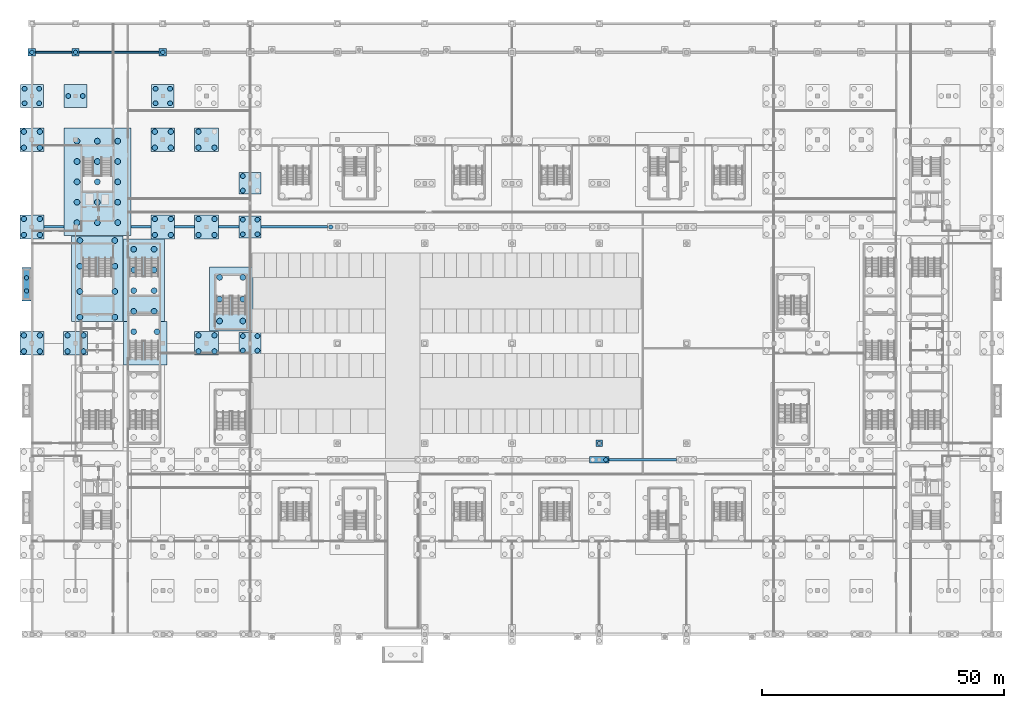
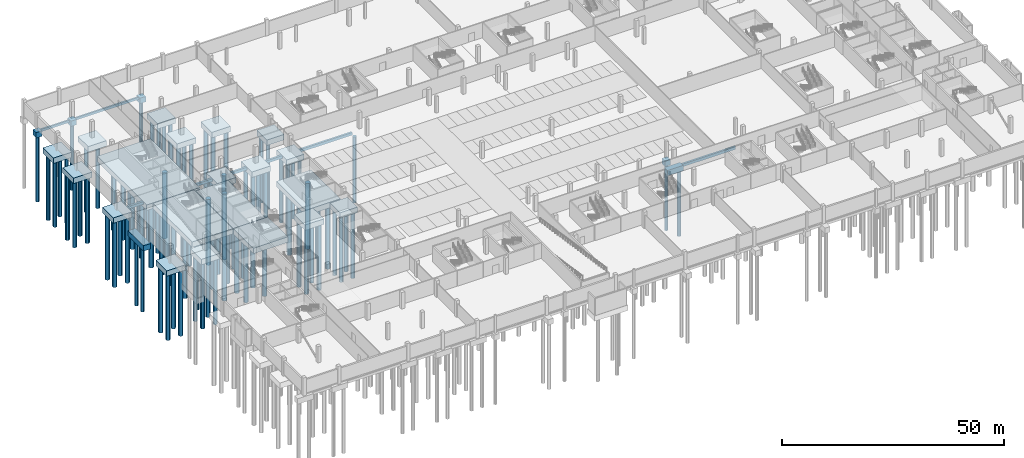
# One storey, part 3 of 46: 102 piles, 34 footings.
"""IFC4 building model written with IfcOpenShell, lengths in metres."""

from ifc_helpers import new_model, si_unit, direction, frame, origin, origin_2d, place, context, subcontext, project, spatial, polyline, circle, outline, extrude, material, material_profile, profile_set, type_object, element, save


model = new_model("IFC4")

# Units and contexts
model_context = context("Model", 3, precision=1e-05, world=origin(), true_north=direction((0.0, 1.0)))
body_context = subcontext(model_context, "Body", "Model", "MODEL_VIEW")
ifc_project = project(units=[si_unit("LENGTHUNIT", "METRE"), si_unit("AREAUNIT", "SQUARE_METRE"), si_unit("VOLUMEUNIT", "CUBIC_METRE"), si_unit("PLANEANGLEUNIT", "RADIAN"), si_unit("MASSUNIT", "GRAM", prefix="KILO")], contexts=[model_context])

# Site, building, storey
site_placement = place(None, origin())
site = spatial("IfcSite", under=ifc_project, at=site_placement, CompositionType="ELEMENT")
building_placement = place(site_placement, origin())
building = spatial("IfcBuilding", under=site, at=building_placement, Name="Kisiwana Market Hall", CompositionType="ELEMENT")
storey_placement = place(building_placement, frame((0.0, 0.0, -4.5)))
storey = spatial("IfcBuildingStorey", under=building, at=storey_placement, Name="B1", CompositionType="ELEMENT", Elevation=-4.5)

# Footings
ifc_material_1 = material(Name="Concrete C40/50", Category="concrete")
footing_type_1 = type_object("IfcFootingType", Name="FB-TIE-400x650", PredefinedType="FOOTING_BEAM", material=ifc_material_1)
footing_1_placement = place(storey_placement, frame((0.0, 0.0, -1.10009765625)))
element("IfcFooting", 1, at=footing_1_placement, inside=storey, type_object=footing_type_1, Name="Ground tie beam F-252", PredefinedType="FOOTING_BEAM", context=body_context, shape_type="SweptSolid", body=[
    extrude(outline(polyline([(0.75, 119.800048828125), (8.25, 119.800048828125), (8.25, 120.199951171875), (0.75, 120.199951171875), (0.75, 119.800048828125)])), origin(), (0.0, 0.0, 1.0), 0.650146484375),
])
footing_2_placement = place(storey_placement, frame((0.0, 0.0, -1.10009765625)))
element("IfcFooting", 2, at=footing_2_placement, inside=storey, type_object=footing_type_1, Name="Ground tie beam F-253", PredefinedType="FOOTING_BEAM", context=body_context, shape_type="SweptSolid", body=[
    extrude(outline(polyline([(9.75, 119.800048828125), (26.25, 119.800048828125), (26.25, 120.199951171875), (9.75, 120.199951171875), (9.75, 119.800048828125)])), origin(), (0.0, 0.0, 1.0), 0.650146484375),
])
ifc_material_2 = material(Name="Concrete C40/50", Category="concrete")
footing_type_2 = type_object("IfcFootingType", Name="FB-TIE-500x750", PredefinedType="FOOTING_BEAM", material=ifc_material_2)
footing_3_placement = place(storey_placement, frame((0.0, 0.0, -1.199951171875)))
element("IfcFooting", 3, at=footing_3_placement, inside=storey, type_object=footing_type_2, Name="Ground tie beam F-230", PredefinedType="FOOTING_BEAM", context=body_context, shape_type="SweptSolid", body=[
    extrude(outline(polyline([(119.050048828125, 35.75), (132.949951171875, 35.75), (132.949951171875, 36.25), (119.050048828125, 36.25), (119.050048828125, 35.75)])), origin(), (0.0, 0.0, 1.0), 0.75),
])
footing_4_placement = place(storey_placement, frame((0.0, 0.0, -1.199951171875)))
element("IfcFooting", 4, at=footing_4_placement, inside=storey, type_object=footing_type_2, Name="Ground tie beam F-236", PredefinedType="FOOTING_BEAM", context=body_context, shape_type="SweptSolid", body=[
    extrude(outline(polyline([(2.449951171875, 83.75), (6.60009765625, 83.75), (6.60009765625, 84.25), (2.449951171875, 84.25), (2.449951171875, 83.75)])), origin(), (0.0, 0.0, 1.0), 0.75),
])
footing_5_placement = place(storey_placement, frame((0.0, 0.0, -1.199951171875)))
element("IfcFooting", 5, at=footing_5_placement, inside=storey, type_object=footing_type_2, Name="Ground tie beam F-237", PredefinedType="FOOTING_BEAM", context=body_context, shape_type="SweptSolid", body=[
    extrude(outline(polyline([(20.39990234375, 83.75), (24.550048828125, 83.75), (24.550048828125, 84.25), (20.39990234375, 84.25), (20.39990234375, 83.75)])), origin(), (0.0, 0.0, 1.0), 0.75),
])
footing_6_placement = place(storey_placement, frame((0.0, 0.0, -1.199951171875)))
element("IfcFooting", 6, at=footing_6_placement, inside=storey, type_object=footing_type_2, Name="Ground tie beam F-238", PredefinedType="FOOTING_BEAM", context=body_context, shape_type="SweptSolid", body=[
    extrude(outline(polyline([(29.449951171875, 83.75), (33.550048828125, 83.75), (33.550048828125, 84.25), (29.449951171875, 84.25), (29.449951171875, 83.75)])), origin(), (0.0, 0.0, 1.0), 0.75),
])
footing_7_placement = place(storey_placement, frame((0.0, 0.0, -1.199951171875)))
element("IfcFooting", 7, at=footing_7_placement, inside=storey, type_object=footing_type_2, Name="Ground tie beam F-239", PredefinedType="FOOTING_BEAM", context=body_context, shape_type="SweptSolid", body=[
    extrude(outline(polyline([(38.449951171875, 83.75), (42.75, 83.75), (42.75, 84.25), (38.449951171875, 84.25), (38.449951171875, 83.75)])), origin(), (0.0, 0.0, 1.0), 0.75),
])
footing_8_placement = place(storey_placement, frame((0.0, 0.0, -1.199951171875)))
element("IfcFooting", 8, at=footing_8_placement, inside=storey, type_object=footing_type_2, Name="Ground tie beam F-240", PredefinedType="FOOTING_BEAM", context=body_context, shape_type="SweptSolid", body=[
    extrude(outline(polyline([(47.25, 83.75), (60.949951171875, 83.75), (60.949951171875, 84.25), (47.25, 84.25), (47.25, 83.75)])), origin(), (0.0, 0.0, 1.0), 0.75),
])
ifc_material_3 = material(Name="Concrete C40/50", Category="concrete")
footing_type_3 = type_object("IfcFootingType", Name="PC-1P-800", PredefinedType="PILE_CAP", material=ifc_material_3)
footing_9_placement = place(storey_placement, frame((0.0, 0.0, -1.949951171875)))
element("IfcFooting", 9, at=footing_9_placement, inside=storey, type_object=footing_type_3, Name="Gallery post cap F-156", PredefinedType="PILE_CAP", context=body_context, shape_type="SweptSolid", body=[
    extrude(outline(polyline([(116.324951171875, 38.72509765625), (117.675048828125, 38.72509765625), (117.675048828125, 40.074951171875), (116.324951171875, 40.074951171875), (116.324951171875, 38.72509765625)])), origin(), (0.0, 0.0, 1.0), 1.5),
])
ifc_material_4 = material(Name="Concrete C40/50", Category="concrete")
footing_type_4 = type_object("IfcFootingType", Name="PC-1P-900", PredefinedType="PILE_CAP", material=ifc_material_4)
footing_10_placement = place(storey_placement, frame((0.0, 0.0, -1.949951171875)))
element("IfcFooting", 10, at=footing_10_placement, inside=storey, type_object=footing_type_4, Name="Pile cap F-010 at Q/1", PredefinedType="PILE_CAP", context=body_context, shape_type="SweptSolid", body=[
    extrude(outline(polyline([(-0.75, 119.25), (0.75, 119.25), (0.75, 120.75), (-0.75, 120.75), (-0.75, 119.25)])), origin(), (0.0, 0.0, 1.0), 1.5),
])
footing_11_placement = place(storey_placement, frame((0.0, 0.0, -1.949951171875)))
element("IfcFooting", 11, at=footing_11_placement, inside=storey, type_object=footing_type_4, Name="Pile cap F-015 at Q/2", PredefinedType="PILE_CAP", context=body_context, shape_type="SweptSolid", body=[
    extrude(outline(polyline([(8.25, 119.25), (9.75, 119.25), (9.75, 120.75), (8.25, 120.75), (8.25, 119.25)])), origin(), (0.0, 0.0, 1.0), 1.5),
])
footing_12_placement = place(storey_placement, frame((0.0, 0.0, -1.949951171875)))
element("IfcFooting", 12, at=footing_12_placement, inside=storey, type_object=footing_type_4, Name="Pile cap F-024 at Q/4", PredefinedType="PILE_CAP", context=body_context, shape_type="SweptSolid", body=[
    extrude(outline(polyline([(26.25, 119.25), (27.75, 119.25), (27.75, 120.75), (26.25, 120.75), (26.25, 119.25)])), origin(), (0.0, 0.0, 1.0), 1.5),
])
ifc_material_5 = material(Name="Concrete C40/50", Category="concrete")
footing_type_5 = type_object("IfcFootingType", Name="PC-2P-900", PredefinedType="PILE_CAP", material=ifc_material_5)
footing_13_placement = place(storey_placement, frame((0.0, 0.0, -1.949951171875)))
element("IfcFooting", 13, at=footing_13_placement, inside=storey, type_object=footing_type_5, Name="Pile cap F-080 at E/14", PredefinedType="PILE_CAP", context=body_context, shape_type="SweptSolid", body=[
    extrude(outline(polyline([(114.949951171875, 35.300048828125), (119.050048828125, 35.300048828125), (119.050048828125, 36.699951171875), (114.949951171875, 36.699951171875), (114.949951171875, 35.300048828125)])), origin(), (0.0, 0.0, 1.0), 1.5),
])
ifc_material_6 = material(Name="Concrete C40/50", Category="concrete")
footing_type_6 = type_object("IfcFootingType", Name="PC-2P-900V", PredefinedType="PILE_CAP", material=ifc_material_6)
footing_14_placement = place(storey_placement, frame((0.0, 0.0, -1.949951171875)))
element("IfcFooting", 14, at=footing_14_placement, inside=storey, type_object=footing_type_6, Name="Ramp foundation cap F-196", PredefinedType="PILE_CAP", context=body_context, shape_type="SweptSolid", body=[
    extrude(outline(polyline([(-2.050048828125, 68.699951171875), (-0.14990234375, 68.699951171875), (-0.14990234375, 75.60009765625), (-2.050048828125, 75.60009765625), (-2.050048828125, 68.699951171875)])), origin(), (0.0, 0.0, 1.0), 1.5),
])
ifc_material_7 = material(Name="Concrete C40/50", Category="concrete")
footing_type_7 = type_object("IfcFootingType", Name="PC-4P-1000", PredefinedType="PILE_CAP", material=ifc_material_7)
footing_15_placement = place(storey_placement, frame((0.0, 0.0, -1.949951171875)))
element("IfcFooting", 15, at=footing_15_placement, inside=storey, type_object=footing_type_7, Name="Pile cap F-040 at H/6", PredefinedType="PILE_CAP", context=body_context, shape_type="SweptSolid", body=[
    extrude(outline(polyline([(42.75, 57.75), (47.25, 57.75), (47.25, 62.25), (42.75, 62.25), (42.75, 57.75)])), origin(), (0.0, 0.0, 1.0), 1.5),
])
footing_16_placement = place(storey_placement, frame((0.0, 0.0, -1.949951171875)))
element("IfcFooting", 16, at=footing_16_placement, inside=storey, type_object=footing_type_7, Name="Pile cap F-041 at L/6", PredefinedType="PILE_CAP", context=body_context, shape_type="SweptSolid", body=[
    extrude(outline(polyline([(42.75, 81.75), (47.25, 81.75), (47.25, 86.25), (42.75, 86.25), (42.75, 81.75)])), origin(), (0.0, 0.0, 1.0), 1.5),
])
footing_17_placement = place(storey_placement, frame((0.0, 0.0, -1.949951171875)))
element("IfcFooting", 17, at=footing_17_placement, inside=storey, type_object=footing_type_7, Name="Pile cap F-042 at M/6", PredefinedType="PILE_CAP", context=body_context, shape_type="SweptSolid", body=[
    extrude(outline(polyline([(42.75, 90.75), (47.25, 90.75), (47.25, 95.25), (42.75, 95.25), (42.75, 90.75)])), origin(), (0.0, 0.0, 1.0), 1.5),
])
ifc_material_8 = material(Name="Concrete C40/50", Category="concrete")
footing_type_8 = type_object("IfcFootingType", Name="PC-4P-1050", PredefinedType="PILE_CAP", material=ifc_material_8)
footing_18_placement = place(storey_placement, frame((0.0, 0.0, -1.949951171875)))
element("IfcFooting", 18, at=footing_18_placement, inside=storey, type_object=footing_type_8, Name="Pile cap F-009 at P/1", PredefinedType="PILE_CAP", context=body_context, shape_type="SweptSolid", body=[
    extrude(outline(polyline([(-2.35009765625, 108.64990234375), (2.35009765625, 108.64990234375), (2.35009765625, 113.35009765625), (-2.35009765625, 113.35009765625), (-2.35009765625, 108.64990234375)])), origin(), (0.0, 0.0, 1.0), 1.5),
])
footing_19_placement = place(storey_placement, frame((0.0, 0.0, -1.949951171875)))
element("IfcFooting", 19, at=footing_19_placement, inside=storey, type_object=footing_type_8, Name="Pile cap F-014 at P/2", PredefinedType="PILE_CAP", context=body_context, shape_type="SweptSolid", body=[
    extrude(outline(polyline([(6.64990234375, 108.64990234375), (11.35009765625, 108.64990234375), (11.35009765625, 113.35009765625), (6.64990234375, 113.35009765625), (6.64990234375, 108.64990234375)])), origin(), (0.0, 0.0, 1.0), 1.5),
])
footing_20_placement = place(storey_placement, frame((0.0, 0.0, -1.949951171875)))
element("IfcFooting", 20, at=footing_20_placement, inside=storey, type_object=footing_type_8, Name="Pile cap F-023 at P/4", PredefinedType="PILE_CAP", context=body_context, shape_type="SweptSolid", body=[
    extrude(outline(polyline([(24.64990234375, 108.64990234375), (29.35009765625, 108.64990234375), (29.35009765625, 113.35009765625), (24.64990234375, 113.35009765625), (24.64990234375, 108.64990234375)])), origin(), (0.0, 0.0, 1.0), 1.5),
])
ifc_material_9 = material(Name="Concrete C40/50", Category="concrete")
footing_type_9 = type_object("IfcFootingType", Name="PC-4P-1100", PredefinedType="PILE_CAP", material=ifc_material_9)
footing_21_placement = place(storey_placement, frame((0.0, 0.0, -1.949951171875)))
element("IfcFooting", 21, at=footing_21_placement, inside=storey, type_object=footing_type_9, Name="Pile cap F-006 at H/1", PredefinedType="PILE_CAP", context=body_context, shape_type="SweptSolid", body=[
    extrude(outline(polyline([(-2.449951171875, 57.550048828125), (2.449951171875, 57.550048828125), (2.449951171875, 62.449951171875), (-2.449951171875, 62.449951171875), (-2.449951171875, 57.550048828125)])), origin(), (0.0, 0.0, 1.0), 1.5),
])
footing_22_placement = place(storey_placement, frame((0.0, 0.0, -1.949951171875)))
element("IfcFooting", 22, at=footing_22_placement, inside=storey, type_object=footing_type_9, Name="Pile cap F-007 at L/1", PredefinedType="PILE_CAP", context=body_context, shape_type="SweptSolid", body=[
    extrude(outline(polyline([(-2.449951171875, 81.550048828125), (2.449951171875, 81.550048828125), (2.449951171875, 86.449951171875), (-2.449951171875, 86.449951171875), (-2.449951171875, 81.550048828125)])), origin(), (0.0, 0.0, 1.0), 1.5),
])
footing_23_placement = place(storey_placement, frame((0.0, 0.0, -1.949951171875)))
element("IfcFooting", 23, at=footing_23_placement, inside=storey, type_object=footing_type_9, Name="Pile cap F-008 at N/1", PredefinedType="PILE_CAP", context=body_context, shape_type="SweptSolid", body=[
    extrude(outline(polyline([(-2.449951171875, 99.550048828125), (2.449951171875, 99.550048828125), (2.449951171875, 104.449951171875), (-2.449951171875, 104.449951171875), (-2.449951171875, 99.550048828125)])), origin(), (0.0, 0.0, 1.0), 1.5),
])
footing_24_placement = place(storey_placement, frame((0.0, 0.0, -1.949951171875)))
element("IfcFooting", 24, at=footing_24_placement, inside=storey, type_object=footing_type_9, Name="Pile cap F-021 at L/4", PredefinedType="PILE_CAP", context=body_context, shape_type="SweptSolid", body=[
    extrude(outline(polyline([(24.550048828125, 81.550048828125), (29.449951171875, 81.550048828125), (29.449951171875, 86.449951171875), (24.550048828125, 86.449951171875), (24.550048828125, 81.550048828125)])), origin(), (0.0, 0.0, 1.0), 1.5),
])
footing_25_placement = place(storey_placement, frame((0.0, 0.0, -1.949951171875)))
element("IfcFooting", 25, at=footing_25_placement, inside=storey, type_object=footing_type_9, Name="Pile cap F-022 at N/4", PredefinedType="PILE_CAP", context=body_context, shape_type="SweptSolid", body=[
    extrude(outline(polyline([(24.550048828125, 99.550048828125), (29.449951171875, 99.550048828125), (29.449951171875, 104.449951171875), (24.550048828125, 104.449951171875), (24.550048828125, 99.550048828125)])), origin(), (0.0, 0.0, 1.0), 1.5),
])
footing_26_placement = place(storey_placement, frame((0.0, 0.0, -1.949951171875)))
element("IfcFooting", 26, at=footing_26_placement, inside=storey, type_object=footing_type_9, Name="Pile cap F-030 at L/5", PredefinedType="PILE_CAP", context=body_context, shape_type="SweptSolid", body=[
    extrude(outline(polyline([(33.550048828125, 81.550048828125), (38.449951171875, 81.550048828125), (38.449951171875, 86.449951171875), (33.550048828125, 86.449951171875), (33.550048828125, 81.550048828125)])), origin(), (0.0, 0.0, 1.0), 1.5),
])
footing_27_placement = place(storey_placement, frame((0.0, 0.0, -1.949951171875)))
element("IfcFooting", 27, at=footing_27_placement, inside=storey, type_object=footing_type_9, Name="Pile cap F-031 at N/5", PredefinedType="PILE_CAP", context=body_context, shape_type="SweptSolid", body=[
    extrude(outline(polyline([(33.550048828125, 99.550048828125), (38.449951171875, 99.550048828125), (38.449951171875, 104.449951171875), (33.550048828125, 104.449951171875), (33.550048828125, 99.550048828125)])), origin(), (0.0, 0.0, 1.0), 1.5),
])
footing_28_placement = place(storey_placement, frame((0.0, 0.0, -1.949951171875)))
element("IfcFooting", 28, at=footing_28_placement, inside=storey, type_object=footing_type_9, Name="Pile cap F-160 at H/2", PredefinedType="PILE_CAP", context=body_context, shape_type="SweptSolid", body=[
    extrude(outline(polyline([(6.550048828125, 57.550048828125), (11.449951171875, 57.550048828125), (11.449951171875, 62.449951171875), (6.550048828125, 62.449951171875), (6.550048828125, 57.550048828125)])), origin(), (0.0, 0.0, 1.0), 1.5),
])
footing_29_placement = place(storey_placement, frame((0.0, 0.0, -1.949951171875)))
element("IfcFooting", 29, at=footing_29_placement, inside=storey, type_object=footing_type_9, Name="Pile cap F-161 at H/5", PredefinedType="PILE_CAP", context=body_context, shape_type="SweptSolid", body=[
    extrude(outline(polyline([(33.550048828125, 57.550048828125), (38.449951171875, 57.550048828125), (38.449951171875, 62.449951171875), (33.550048828125, 62.449951171875), (33.550048828125, 57.550048828125)])), origin(), (0.0, 0.0, 1.0), 1.5),
])
ifc_material_10 = material(Name="Concrete C40/50", Category="concrete")
footing_type_10 = type_object("IfcFootingType", Name="PC-ESC-RAFT", PredefinedType="PILE_CAP", material=ifc_material_10)
footing_30_placement = place(storey_placement, frame((0.0, 0.0, -1.949951171875)))
element("IfcFooting", 30, at=footing_30_placement, inside=storey, type_object=footing_type_10, Name="Core raft pile cap W4 F-189", PredefinedType="PILE_CAP", context=body_context, shape_type="SweptSolid", body=[
    extrude(outline(polyline([(8.199951171875, 64.5), (18.800048828125, 64.5), (18.800048828125, 82.10009765625), (8.199951171875, 82.10009765625), (8.199951171875, 64.5)])), origin(), (0.0, 0.0, 1.0), 1.5),
])
footing_31_placement = place(storey_placement, frame((0.0, 0.0, -1.949951171875)))
element("IfcFooting", 31, at=footing_31_placement, inside=storey, type_object=footing_type_10, Name="Core raft pile cap W8 F-192", PredefinedType="PILE_CAP", context=body_context, shape_type="SweptSolid", body=[
    extrude(outline(polyline([(18.89990234375, 64.5), (27.300048828125, 64.5), (27.300048828125, 81.5), (18.89990234375, 81.5), (18.89990234375, 64.5)])), origin(), (0.0, 0.0, 1.0), 1.5),
])
footing_32_placement = place(storey_placement, frame((0.0, 0.0, -1.949951171875)))
element("IfcFooting", 32, at=footing_32_placement, inside=storey, type_object=footing_type_10, Name="Core raft pile cap W10 F-186", PredefinedType="PILE_CAP", context=body_context, shape_type="SweptSolid", body=[
    extrude(outline(polyline([(36.60009765625, 62.5), (45.60009765625, 62.5), (45.60009765625, 75.699951171875), (36.60009765625, 75.699951171875), (36.60009765625, 62.5)])), origin(), (0.0, 0.0, 1.0), 1.5),
])
footing_33_placement = place(storey_placement, frame((0.0, 0.0, -1.949951171875)))
element("IfcFooting", 33, at=footing_33_placement, inside=storey, type_object=footing_type_10, Name="Core raft pile cap W5 F-190", PredefinedType="PILE_CAP", context=body_context, shape_type="SweptSolid", body=[
    extrude(outline(polyline([(18.89990234375, 55.5), (27.89990234375, 55.5), (27.89990234375, 64.5), (18.89990234375, 64.5), (18.89990234375, 55.5)])), origin(), (0.0, 0.0, 1.0), 1.5),
])
ifc_material_11 = material(Name="Concrete C40/50", Category="concrete")
footing_type_11 = type_object("IfcFootingType", Name="PC-MAIN-RAFT", PredefinedType="PILE_CAP", material=ifc_material_11)
footing_34_placement = place(storey_placement, frame((0.0, 0.0, -1.949951171875)))
element("IfcFooting", 34, at=footing_34_placement, inside=storey, type_object=footing_type_11, Name="Core raft pile cap W1 F-185", PredefinedType="PILE_CAP", context=body_context, shape_type="SweptSolid", body=[
    extrude(outline(polyline([(6.60009765625, 82.199951171875), (20.39990234375, 82.199951171875), (20.39990234375, 104.39990234375), (6.60009765625, 104.39990234375), (6.60009765625, 82.199951171875)])), origin(), (0.0, 0.0, 1.0), 1.5),
])

# Piles
ifc_material_12 = material(Name="Concrete C40/50", Category="concrete")
ifc_material_profile_1 = material_profile(ifc_material_12, circle(Radius=0.5, at=origin_2d()), Name="BP D1000")
ifc_profile_set_1 = profile_set([ifc_material_profile_1], Name="Concrete C40/50")
pile_type_1 = type_object("IfcPileType", Name="PILE-D1000", PredefinedType="BORED", material=ifc_profile_set_1)
for number, where, z_axis, x_axis, name in (
    (35, (-1.5, 109.5, -1.85009765625), (0.0, 0.0, -1.0), (1.0, 0.0, 0.0), "Bored pile P-121"),
    (36, (1.5, 109.5, -1.85009765625), (0.0, 0.0, -1.0), (1.0, 0.0, 0.0), "Bored pile P-122"),
    (37, (-1.5, 112.5, -1.85009765625), (0.0, 0.0, -1.0), (1.0, 0.0, 0.0), "Bored pile P-123"),
    (38, (1.5, 112.5, -1.85009765625), (0.0, 0.0, -1.0), (1.0, 0.0, 0.0), "Bored pile P-124"),
    (39, (7.5, 111.0, -1.85009765625), (0.0, 0.0, -1.0), (1.0, 0.0, 0.0), "Bored pile P-131"),
    (40, (10.5, 111.0, -1.85009765625), (0.0, 0.0, -1.0), (1.0, 0.0, 0.0), "Bored pile P-132"),
    (41, (25.5, 109.5, -1.85009765625), (0.0, 0.0, -1.0), (1.0, 0.0, 0.0), "Bored pile P-155"),
    (42, (28.5, 109.5, -1.85009765625), (0.0, 0.0, -1.0), (1.0, 0.0, 0.0), "Bored pile P-156"),
    (43, (25.5, 112.5, -1.85009765625), (0.0, 0.0, -1.0), (1.0, 0.0, 0.0), "Bored pile P-157"),
    (44, (28.5, 112.5, -1.85009765625), (0.0, 0.0, -1.0), (1.0, 0.0, 0.0), "Bored pile P-158"),
    (45, (43.5, 58.5, -1.85009765625), (0.0, 0.0, -1.0), (1.0, 0.0, 0.0), "Bored pile P-205"),
    (46, (46.5, 58.5, -1.85009765625), (0.0, 0.0, -1.0), (1.0, 0.0, 0.0), "Bored pile P-206"),
    (47, (43.5, 61.5, -1.85009765625), (0.0, 0.0, -1.0), (1.0, 0.0, 0.0), "Bored pile P-207"),
    (48, (46.5, 61.5, -1.85009765625), (0.0, 0.0, -1.0), (1.0, 0.0, 0.0), "Bored pile P-208"),
    (49, (43.5, 82.5, -1.85009765625), (0.0, 0.0, -1.0), (1.0, 0.0, 0.0), "Bored pile P-209"),
    (50, (46.5, 82.5, -1.85009765625), (0.0, 0.0, -1.0), (1.0, 0.0, 0.0), "Bored pile P-210"),
    (51, (43.5, 85.5, -1.85009765625), (0.0, 0.0, -1.0), (1.0, 0.0, 0.0), "Bored pile P-211"),
    (52, (46.5, 85.5, -1.85009765625), (0.0, 0.0, -1.0), (1.0, 0.0, 0.0), "Bored pile P-212"),
    (53, (43.5, 91.5, -1.85009765625), (0.0, 0.0, -1.0), (1.0, 0.0, 0.0), "Bored pile P-213"),
    (54, (43.5, 94.5, -1.85009765625), (0.0, 0.0, -1.0), (1.0, 0.0, 0.0), "Bored pile P-215"),
):
    element("IfcPile", number, at=place(storey_placement, frame(where, z_axis=z_axis, x_axis=x_axis)), inside=storey, type_object=pile_type_1, Name=name, PredefinedType="BORED", context=body_context, shape_type="SweptSolid", body=[
        extrude(circle(Radius=0.5, at=origin_2d()), origin(), (0.0, 0.0, 1.0), 18.10009765625),
    ])
ifc_material_13 = material(Name="Concrete C40/50", Category="concrete")
ifc_material_profile_2 = material_profile(ifc_material_13, circle(Radius=0.550048828125, at=origin_2d()), Name="BP D1100")
ifc_profile_set_2 = profile_set([ifc_material_profile_2], Name="Concrete C40/50")
pile_type_2 = type_object("IfcPileType", Name="PILE-D1100", PredefinedType="BORED", material=ifc_profile_set_2)
for number, where, z_axis, x_axis, name in (
    (55, (-1.64990234375, 58.35009765625, -1.85009765625), (0.0, 0.0, -1.0), (1.0, 0.0, 0.0), "Bored pile P-109"),
    (56, (1.64990234375, 58.35009765625, -1.85009765625), (0.0, 0.0, -1.0), (1.0, 0.0, 0.0), "Bored pile P-110"),
    (57, (-1.64990234375, 61.64990234375, -1.85009765625), (0.0, 0.0, -1.0), (1.0, 0.0, 0.0), "Bored pile P-111"),
    (58, (1.64990234375, 61.64990234375, -1.85009765625), (0.0, 0.0, -1.0), (1.0, 0.0, 0.0), "Bored pile P-112"),
    (59, (-1.64990234375, 82.35009765625, -1.85009765625), (0.0, 0.0, -1.0), (1.0, 0.0, 0.0), "Bored pile P-113"),
    (60, (1.64990234375, 82.35009765625, -1.85009765625), (0.0, 0.0, -1.0), (1.0, 0.0, 0.0), "Bored pile P-114"),
    (61, (-1.64990234375, 85.64990234375, -1.85009765625), (0.0, 0.0, -1.0), (1.0, 0.0, 0.0), "Bored pile P-115"),
    (62, (1.64990234375, 85.64990234375, -1.85009765625), (0.0, 0.0, -1.0), (1.0, 0.0, 0.0), "Bored pile P-116"),
    (63, (-1.64990234375, 100.35009765625, -1.85009765625), (0.0, 0.0, -1.0), (1.0, 0.0, 0.0), "Bored pile P-117"),
    (64, (1.64990234375, 100.35009765625, -1.85009765625), (0.0, 0.0, -1.0), (1.0, 0.0, 0.0), "Bored pile P-118"),
    (65, (-1.64990234375, 103.64990234375, -1.85009765625), (0.0, 0.0, -1.0), (1.0, 0.0, 0.0), "Bored pile P-119"),
    (66, (1.64990234375, 103.64990234375, -1.85009765625), (0.0, 0.0, -1.0), (1.0, 0.0, 0.0), "Bored pile P-120"),
    (67, (25.35009765625, 82.35009765625, -1.85009765625), (0.0, 0.0, -1.0), (1.0, 0.0, 0.0), "Bored pile P-147"),
    (68, (28.64990234375, 82.35009765625, -1.85009765625), (0.0, 0.0, -1.0), (1.0, 0.0, 0.0), "Bored pile P-148"),
    (69, (25.35009765625, 85.64990234375, -1.85009765625), (0.0, 0.0, -1.0), (1.0, 0.0, 0.0), "Bored pile P-149"),
    (70, (28.64990234375, 85.64990234375, -1.85009765625), (0.0, 0.0, -1.0), (1.0, 0.0, 0.0), "Bored pile P-150"),
    (71, (25.35009765625, 100.35009765625, -1.85009765625), (0.0, 0.0, -1.0), (1.0, 0.0, 0.0), "Bored pile P-151"),
    (72, (28.64990234375, 100.35009765625, -1.85009765625), (0.0, 0.0, -1.0), (1.0, 0.0, 0.0), "Bored pile P-152"),
    (73, (25.35009765625, 103.64990234375, -1.85009765625), (0.0, 0.0, -1.0), (1.0, 0.0, 0.0), "Bored pile P-153"),
    (74, (28.64990234375, 103.64990234375, -1.85009765625), (0.0, 0.0, -1.0), (1.0, 0.0, 0.0), "Bored pile P-154"),
    (75, (34.35009765625, 82.35009765625, -1.85009765625), (0.0, 0.0, -1.0), (1.0, 0.0, 0.0), "Bored pile P-173"),
    (76, (37.64990234375, 82.35009765625, -1.85009765625), (0.0, 0.0, -1.0), (1.0, 0.0, 0.0), "Bored pile P-174"),
    (77, (34.35009765625, 85.64990234375, -1.85009765625), (0.0, 0.0, -1.0), (1.0, 0.0, 0.0), "Bored pile P-175"),
    (78, (37.64990234375, 85.64990234375, -1.85009765625), (0.0, 0.0, -1.0), (1.0, 0.0, 0.0), "Bored pile P-176"),
    (79, (34.35009765625, 100.35009765625, -1.85009765625), (0.0, 0.0, -1.0), (1.0, 0.0, 0.0), "Bored pile P-177"),
    (80, (37.64990234375, 100.35009765625, -1.85009765625), (0.0, 0.0, -1.0), (1.0, 0.0, 0.0), "Bored pile P-178"),
    (81, (34.35009765625, 103.64990234375, -1.85009765625), (0.0, 0.0, -1.0), (1.0, 0.0, 0.0), "Bored pile P-179"),
    (82, (7.35009765625, 58.35009765625, -1.85009765625), (0.0, 0.0, -1.0), (1.0, 0.0, 0.0), "Bored pile P-614"),
    (83, (10.64990234375, 58.35009765625, -1.85009765625), (0.0, 0.0, -1.0), (1.0, 0.0, 0.0), "Bored pile P-615"),
    (84, (7.35009765625, 61.64990234375, -1.85009765625), (0.0, 0.0, -1.0), (1.0, 0.0, 0.0), "Bored pile P-616"),
    (85, (10.64990234375, 61.64990234375, -1.85009765625), (0.0, 0.0, -1.0), (1.0, 0.0, 0.0), "Bored pile P-617"),
    (86, (34.35009765625, 58.35009765625, -1.85009765625), (0.0, 0.0, -1.0), (1.0, 0.0, 0.0), "Bored pile P-618"),
    (87, (37.64990234375, 58.35009765625, -1.85009765625), (0.0, 0.0, -1.0), (1.0, 0.0, 0.0), "Bored pile P-619"),
    (88, (34.35009765625, 61.64990234375, -1.85009765625), (0.0, 0.0, -1.0), (1.0, 0.0, 0.0), "Bored pile P-620"),
    (89, (37.64990234375, 61.64990234375, -1.85009765625), (0.0, 0.0, -1.0), (1.0, 0.0, 0.0), "Bored pile P-621"),
):
    element("IfcPile", number, at=place(storey_placement, frame(where, z_axis=z_axis, x_axis=x_axis)), inside=storey, type_object=pile_type_2, Name=name, PredefinedType="BORED", context=body_context, shape_type="SweptSolid", body=[
        extrude(circle(Radius=0.550048828125, at=origin_2d()), origin(), (0.0, 0.0, 1.0), 18.10009765625),
    ])
ifc_material_14 = material(Name="Concrete C40/50", Category="concrete")
ifc_material_profile_3 = material_profile(ifc_material_14, circle(Radius=0.60009765625, at=origin_2d()), Name="BP D1200")
ifc_profile_set_3 = profile_set([ifc_material_profile_3], Name="Concrete C40/50")
pile_type_3 = type_object("IfcPileType", Name="PILE-D1200", PredefinedType="BORED", material=ifc_profile_set_3)
for number, where, z_axis, x_axis, name in (
    (90, (9.300048828125, 84.89990234375, -1.85009765625), (0.0, 0.0, -1.0), (1.0, 0.0, 0.0), "Bored pile P-016"),
    (91, (9.300048828125, 89.10009765625, -1.85009765625), (0.0, 0.0, -1.0), (1.0, 0.0, 0.0), "Bored pile P-017"),
    (92, (9.300048828125, 93.300048828125, -1.85009765625), (0.0, 0.0, -1.0), (1.0, 0.0, 0.0), "Bored pile P-018"),
    (93, (9.300048828125, 97.5, -1.85009765625), (0.0, 0.0, -1.0), (1.0, 0.0, 0.0), "Bored pile P-019"),
    (94, (9.300048828125, 101.699951171875, -1.85009765625), (0.0, 0.0, -1.0), (1.0, 0.0, 0.0), "Bored pile P-020"),
    (95, (13.5, 84.89990234375, -1.85009765625), (0.0, 0.0, -1.0), (1.0, 0.0, 0.0), "Bored pile P-021"),
    (96, (13.5, 89.10009765625, -1.85009765625), (0.0, 0.0, -1.0), (1.0, 0.0, 0.0), "Bored pile P-022"),
    (97, (13.5, 93.300048828125, -1.85009765625), (0.0, 0.0, -1.0), (1.0, 0.0, 0.0), "Bored pile P-023"),
    (98, (13.5, 97.5, -1.85009765625), (0.0, 0.0, -1.0), (1.0, 0.0, 0.0), "Bored pile P-024"),
    (99, (13.5, 101.699951171875, -1.85009765625), (0.0, 0.0, -1.0), (1.0, 0.0, 0.0), "Bored pile P-025"),
    (100, (17.699951171875, 84.89990234375, -1.85009765625), (0.0, 0.0, -1.0), (1.0, 0.0, 0.0), "Bored pile P-026"),
    (101, (17.699951171875, 89.10009765625, -1.85009765625), (0.0, 0.0, -1.0), (1.0, 0.0, 0.0), "Bored pile P-027"),
    (102, (17.699951171875, 93.300048828125, -1.85009765625), (0.0, 0.0, -1.0), (1.0, 0.0, 0.0), "Bored pile P-028"),
    (103, (17.699951171875, 97.5, -1.85009765625), (0.0, 0.0, -1.0), (1.0, 0.0, 0.0), "Bored pile P-029"),
    (104, (17.699951171875, 101.699951171875, -1.85009765625), (0.0, 0.0, -1.0), (1.0, 0.0, 0.0), "Bored pile P-030"),
    (105, (9.89990234375, 65.39990234375, -1.85009765625), (0.0, 0.0, -1.0), (1.0, 0.0, 0.0), "Bored pile P-478"),
    (106, (9.89990234375, 70.699951171875, -1.85009765625), (0.0, 0.0, -1.0), (1.0, 0.0, 0.0), "Bored pile P-479"),
    (107, (9.89990234375, 75.89990234375, -1.85009765625), (0.0, 0.0, -1.0), (1.0, 0.0, 0.0), "Bored pile P-480"),
    (108, (9.89990234375, 81.199951171875, -1.85009765625), (0.0, 0.0, -1.0), (1.0, 0.0, 0.0), "Bored pile P-481"),
    (109, (17.10009765625, 65.39990234375, -1.85009765625), (0.0, 0.0, -1.0), (1.0, 0.0, 0.0), "Bored pile P-482"),
    (110, (17.10009765625, 70.699951171875, -1.85009765625), (0.0, 0.0, -1.0), (1.0, 0.0, 0.0), "Bored pile P-483"),
    (111, (17.10009765625, 75.89990234375, -1.85009765625), (0.0, 0.0, -1.0), (1.0, 0.0, 0.0), "Bored pile P-484"),
    (112, (17.10009765625, 81.199951171875, -1.85009765625), (0.0, 0.0, -1.0), (1.0, 0.0, 0.0), "Bored pile P-485"),
    (113, (21.0, 66.60009765625, -1.85009765625), (0.0, 0.0, -1.0), (1.0, 0.0, 0.0), "Bored pile P-518"),
    (114, (21.0, 70.866943359375, -1.85009765625), (0.0, 0.0, -1.0), (1.0, 0.0, 0.0), "Bored pile P-519"),
    (115, (21.0, 75.133056640625, -1.85009765625), (0.0, 0.0, -1.0), (1.0, 0.0, 0.0), "Bored pile P-520"),
    (116, (21.0, 79.39990234375, -1.85009765625), (0.0, 0.0, -1.0), (1.0, 0.0, 0.0), "Bored pile P-521"),
    (117, (25.199951171875, 66.60009765625, -1.85009765625), (0.0, 0.0, -1.0), (1.0, 0.0, 0.0), "Bored pile P-522"),
    (118, (25.199951171875, 70.866943359375, -1.85009765625), (0.0, 0.0, -1.0), (1.0, 0.0, 0.0), "Bored pile P-523"),
    (119, (25.199951171875, 75.133056640625, -1.85009765625), (0.0, 0.0, -1.0), (1.0, 0.0, 0.0), "Bored pile P-524"),
    (120, (25.199951171875, 79.39990234375, -1.85009765625), (0.0, 0.0, -1.0), (1.0, 0.0, 0.0), "Bored pile P-525"),
    (121, (38.699951171875, 64.60009765625, -1.85009765625), (0.0, 0.0, -1.0), (1.0, 0.0, 0.0), "Bored pile P-546"),
    (122, (38.699951171875, 69.10009765625, -1.85009765625), (0.0, 0.0, -1.0), (1.0, 0.0, 0.0), "Bored pile P-547"),
    (123, (38.699951171875, 73.60009765625, -1.85009765625), (0.0, 0.0, -1.0), (1.0, 0.0, 0.0), "Bored pile P-548"),
    (124, (43.5, 64.60009765625, -1.85009765625), (0.0, 0.0, -1.0), (1.0, 0.0, 0.0), "Bored pile P-549"),
    (125, (43.5, 69.10009765625, -1.85009765625), (0.0, 0.0, -1.0), (1.0, 0.0, 0.0), "Bored pile P-550"),
    (126, (43.5, 73.60009765625, -1.85009765625), (0.0, 0.0, -1.0), (1.0, 0.0, 0.0), "Bored pile P-551"),
    (127, (21.0, 62.39990234375, -1.85009765625), (0.0, 0.0, -1.0), (1.0, 0.0, 0.0), "Bored pile P-559"),
    (128, (25.800048828125, 62.39990234375, -1.85009765625), (0.0, 0.0, -1.0), (1.0, 0.0, 0.0), "Bored pile P-561"),
):
    element("IfcPile", number, at=place(storey_placement, frame(where, z_axis=z_axis, x_axis=x_axis)), inside=storey, type_object=pile_type_3, Name=name, PredefinedType="BORED", context=body_context, shape_type="SweptSolid", body=[
        extrude(circle(Radius=0.60009765625, at=origin_2d()), origin(), (0.0, 0.0, 1.0), 18.10009765625),
    ])
ifc_material_15 = material(Name="Concrete C40/50", Category="concrete")
ifc_material_profile_4 = material_profile(ifc_material_15, circle(Radius=0.39990234375, at=origin_2d()), Name="BP D800")
ifc_profile_set_4 = profile_set([ifc_material_profile_4], Name="Concrete C40/50")
pile_type_4 = type_object("IfcPileType", Name="PILE-D800", PredefinedType="BORED", material=ifc_profile_set_4)
pile_placement = place(storey_placement, frame((117.0, 39.39990234375, -1.85009765625), z_axis=(0.0, 0.0, -1.0), x_axis=(1.0, 0.0, 0.0)))
element("IfcPile", 129, at=pile_placement, inside=storey, type_object=pile_type_4, Name="Bored pile P-464", PredefinedType="BORED", context=body_context, shape_type="SweptSolid", body=[
    extrude(circle(Radius=0.39990234375, at=origin_2d()), origin(), (0.0, 0.0, 1.0), 18.10009765625),
])
ifc_material_16 = material(Name="Concrete C40/50", Category="concrete")
ifc_material_profile_5 = material_profile(ifc_material_16, circle(Radius=0.449951171875, at=origin_2d()), Name="BP D900")
ifc_profile_set_5 = profile_set([ifc_material_profile_5], Name="Concrete C40/50")
pile_type_5 = type_object("IfcPileType", Name="PILE-D900", PredefinedType="BORED", material=ifc_profile_set_5)
for number, where, z_axis, x_axis, name in (
    (130, (0.0, 120.0, -1.85009765625), (0.0, 0.0, -1.0), (1.0, 0.0, 0.0), "Bored pile P-125"),
    (131, (9.0, 120.0, -1.85009765625), (0.0, 0.0, -1.0), (1.0, 0.0, 0.0), "Bored pile P-133"),
    (132, (27.0, 120.0, -1.85009765625), (0.0, 0.0, -1.0), (1.0, 0.0, 0.0), "Bored pile P-159"),
    (133, (61.64990234375, 84.0, -1.85009765625), (0.0, 0.0, -1.0), (1.0, 0.0, 0.0), "Bored pile P-232"),
    (134, (118.35009765625, 36.0, -1.85009765625), (0.0, 0.0, -1.0), (1.0, 0.0, 0.0), "Bored pile P-297"),
    (135, (-1.10009765625, 70.800048828125, -1.85009765625), (0.0, 0.0, -1.0), (1.0, 0.0, 0.0), "Ramp bored pile 3-1 P-634"),
    (136, (-1.10009765625, 73.5, -1.85009765625), (0.0, 0.0, -1.0), (1.0, 0.0, 0.0), "Ramp bored pile 3-2 P-635"),
):
    element("IfcPile", number, at=place(storey_placement, frame(where, z_axis=z_axis, x_axis=x_axis)), inside=storey, type_object=pile_type_5, Name=name, PredefinedType="BORED", context=body_context, shape_type="SweptSolid", body=[
        extrude(circle(Radius=0.449951171875, at=origin_2d()), origin(), (0.0, 0.0, 1.0), 18.10009765625),
    ])

save(model, "model.ifc")
